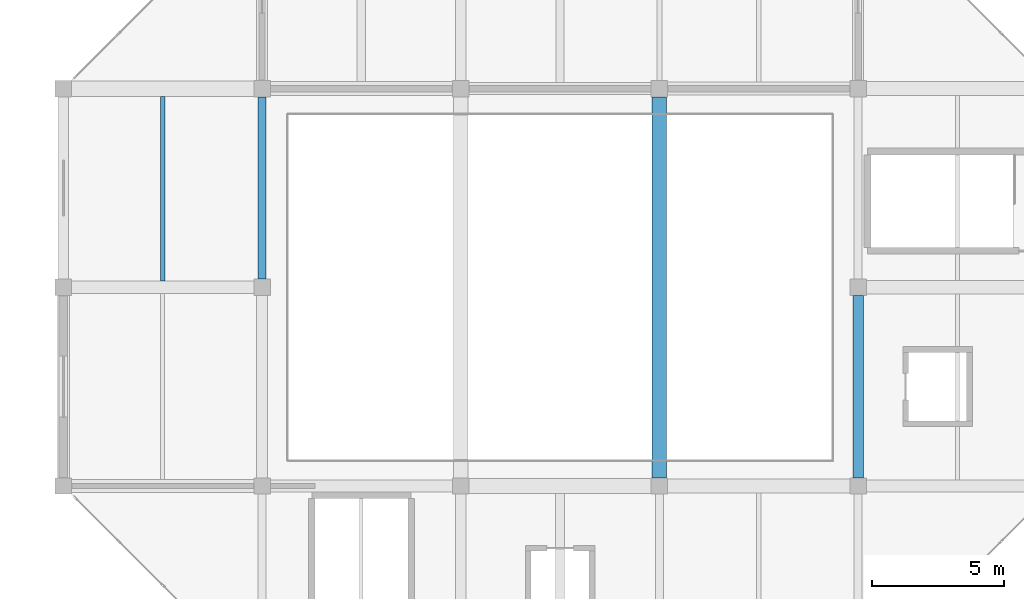
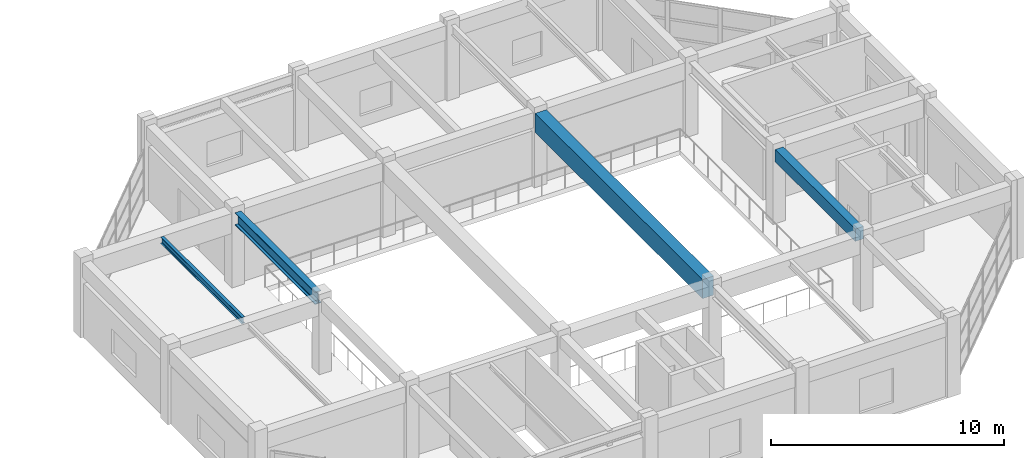
# One storey, part 62 of 124: 4 beams.
"""IFC4 building model written with IfcOpenShell, lengths in metres."""

from ifc_helpers import new_model, si_unit, direction, frame, origin, origin_2d, place, context, subcontext, project, spatial, rectangle, i_section, extrude, material, material_profile, profile_set, type_object, element, save


model = new_model("IFC4")

# Units and contexts
model_context = context("Model", 3, precision=1e-05, world=origin(), true_north=direction((0.0, 1.0)))
body_context = subcontext(model_context, "Body", "Model", "MODEL_VIEW")
ifc_project = project(units=[si_unit("LENGTHUNIT", "METRE"), si_unit("AREAUNIT", "SQUARE_METRE"), si_unit("VOLUMEUNIT", "CUBIC_METRE"), si_unit("PLANEANGLEUNIT", "RADIAN"), si_unit("MASSUNIT", "GRAM", prefix="KILO")], contexts=[model_context])

# Site, building, storey
site_placement = place(None, origin())
site = spatial("IfcSite", under=ifc_project, at=site_placement, CompositionType="ELEMENT")
building_placement = place(site_placement, origin())
building = spatial("IfcBuilding", under=site, at=building_placement, Name="Qasida Concert Hall", CompositionType="ELEMENT")
storey_placement = place(building_placement, frame((0.0, 0.0, 9.0)))
storey = spatial("IfcBuildingStorey", under=building, at=storey_placement, Name="L02", CompositionType="ELEMENT", Elevation=9.0)

# Beams
ifc_material_1 = material(Name="Concrete C40/50", Category="concrete")
ifc_material_profile_1 = material_profile(ifc_material_1, rectangle(XDim=0.39990234375, YDim=0.64990234375, at=origin_2d()), Name="RC 400x650")
ifc_profile_set_1 = profile_set([ifc_material_profile_1], Name="Concrete C40/50")
beam_type_1 = type_object("IfcBeamType", Name="BM-B1", PredefinedType="BEAM", material=ifc_profile_set_1)
beam_1_placement = place(storey_placement, frame((157.5, 7.81005859375, 3.574951171875), z_axis=(0.0, 1.0, 0.0), x_axis=(-1.0, 0.0, 0.0)))
element("IfcBeam", 1, at=beam_1_placement, inside=storey, type_object=beam_type_1, Name="L02 girder 1254", PredefinedType="BEAM", context=body_context, shape_type="SweptSolid", body=[
    extrude(rectangle(XDim=0.39990234375, YDim=0.64990234375, at=origin_2d()), origin(), (0.0, 0.0, 1.0), 6.8798828125),
])
ifc_material_2 = material(Name="Steel S355J2", Category="steel")
ifc_material_profile_2 = material_profile(ifc_material_2, i_section(OverallWidth=0.300048828125, OverallDepth=0.64990234375, WebThickness=0.01611328125, FlangeThickness=0.031005859375, FilletRadius=0.027099609375, at=origin_2d()), Name="HEB 650")
ifc_profile_set_2 = profile_set([ifc_material_profile_2], Name="Steel S355J2")
beam_type_2 = type_object("IfcBeamType", Name="BM-B13", PredefinedType="BEAM", material=ifc_profile_set_2)
beam_2_placement = place(storey_placement, frame((135.0, 15.31005859375, 3.574951171875), z_axis=(0.0, 1.0, 0.0), x_axis=(-1.0, 0.0, 0.0)))
element("IfcBeam", 2, at=beam_2_placement, inside=storey, type_object=beam_type_2, Name="L02 girder 1245", PredefinedType="BEAM", context=body_context, shape_type="SweptSolid", body=[
    extrude(i_section(OverallWidth=0.300048828125, OverallDepth=0.64990234375, WebThickness=0.01611328125, FlangeThickness=0.031005859375, FilletRadius=0.027099609375, at=origin_2d()), origin(), (0.0, 0.0, 1.0), 6.8798828125),
])
ifc_material_profile_3 = material_profile(ifc_material_1, rectangle(XDim=0.550048828125, YDim=1.0, at=origin_2d()), Name="RC 550x1000")
ifc_profile_set_3 = profile_set([ifc_material_profile_3], Name="Concrete C40/50")
beam_type_3 = type_object("IfcBeamType", Name="BM-G3", PredefinedType="USERDEFINED", material=ifc_profile_set_3)
beam_3_placement = place(storey_placement, frame((150.0, 7.81005859375, 3.39990234375), z_axis=(0.0, 1.0, 0.0), x_axis=(-1.0, 0.0, 0.0)))
element("IfcBeam", 3, at=beam_3_placement, inside=storey, type_object=beam_type_3, Name="L02 girder 1251", ObjectType="GIRDER", PredefinedType="USERDEFINED", context=body_context, shape_type="SweptSolid", body=[
    extrude(rectangle(XDim=0.550048828125, YDim=1.0, at=origin_2d()), origin(), (0.0, 0.0, 1.0), 14.3798828125),
])
ifc_material_profile_4 = material_profile(ifc_material_2, i_section(OverallWidth=0.159912109375, OverallDepth=0.330078125, WebThickness=0.007568359375, FlangeThickness=0.011474609375, FilletRadius=0.01806640625, at=origin_2d()), Name="IPE 330")
ifc_profile_set_4 = profile_set([ifc_material_profile_4], Name="Steel S355J2")
beam_type_4 = type_object("IfcBeamType", Name="BM-J5", PredefinedType="JOIST", material=ifc_profile_set_4)
beam_4_placement = place(storey_placement, frame((131.25, 15.239990234375, 3.735107421875), z_axis=(0.0, 1.0, 0.0), x_axis=(-1.0, 0.0, 0.0)))
element("IfcBeam", 4, at=beam_4_placement, inside=storey, type_object=beam_type_4, Name="L02 secondary joist 1260", PredefinedType="JOIST", context=body_context, shape_type="SweptSolid", body=[
    extrude(i_section(OverallWidth=0.159912109375, OverallDepth=0.330078125, WebThickness=0.007568359375, FlangeThickness=0.011474609375, FilletRadius=0.01806640625, at=origin_2d()), origin(), (0.0, 0.0, 1.0), 6.969970703125),
])

save(model, "model.ifc")
